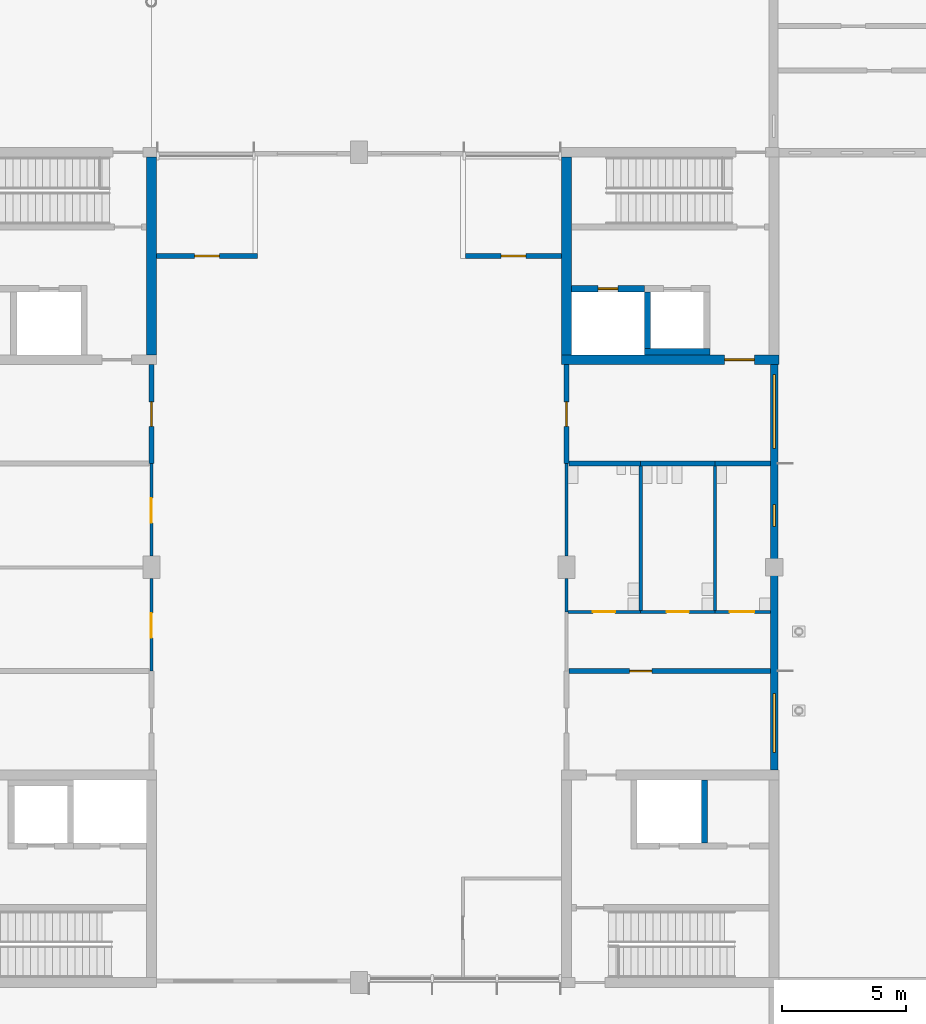
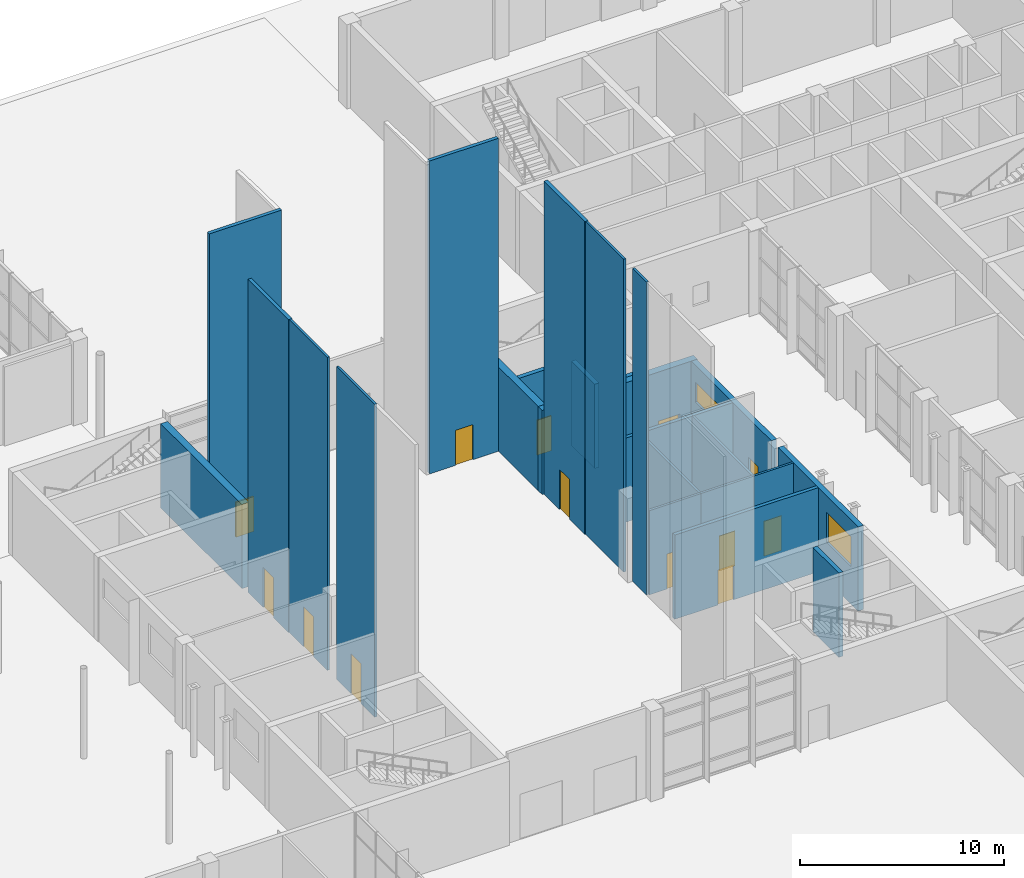
# One storey, part 40 of 76: 26 walls, 12 doors, 3 windows, 15 openings.
"""IFC4 building model written with IfcOpenShell, lengths in metres."""

from ifc_helpers import new_model, si_unit, direction, frame, frame_2d, origin, place, context, subcontext, project, spatial, rectangle, extrude, material, layer, layer_set, type_object, element, fill, save


model = new_model("IFC4")

# Units and contexts
model_context = context("Model", 3, precision=1e-05, world=origin(), true_north=direction((0.0, 1.0)))
body_context = subcontext(model_context, "Body", "Model", "MODEL_VIEW")
ifc_project = project(units=[si_unit("LENGTHUNIT", "METRE"), si_unit("AREAUNIT", "SQUARE_METRE"), si_unit("VOLUMEUNIT", "CUBIC_METRE"), si_unit("PLANEANGLEUNIT", "RADIAN"), si_unit("MASSUNIT", "GRAM", prefix="KILO")], contexts=[model_context])

# Site, building, storey
site_placement = place(None, origin())
site = spatial("IfcSite", under=ifc_project, at=site_placement, CompositionType="ELEMENT")
building_placement = place(site_placement, origin())
building = spatial("IfcBuilding", under=site, at=building_placement, Name="Hlaing Beacon Police Headquarters", CompositionType="ELEMENT")
storey_placement = place(building_placement, origin())
storey = spatial("IfcBuildingStorey", under=building, at=storey_placement, Name="L00", CompositionType="ELEMENT", Elevation=0.0)

# Wall
ifc_material_1 = material(Name="Concrete C60/75", Category="concrete")
ifc_layer_1 = layer(ifc_material_1, 0.39990234375)
ifc_layer_set_1 = layer_set([ifc_layer_1], Name="Concrete C60/75")
wall_type_1 = type_object("IfcWallType", Name="Core shear wall 400", PredefinedType="SHEAR", material=ifc_layer_set_1)
wall_1_placement = place(storey_placement, frame((67.199951171875, 59.0, 0.0), z_axis=(0.0, 0.0, 1.0), x_axis=(0.0, 1.0, 0.0)))
element("IfcWall", 1, at=wall_1_placement, inside=storey, type_object=wall_type_1, Name="Core shear wall", PredefinedType="SHEAR", context=body_context, shape_type="SweptSolid", body=[
    extrude(rectangle(XDim=8.0, YDim=0.39990234375, at=frame_2d((4.0, 0.0))), origin(), (0.0, 0.0, 1.0), 5.050048828125),
])

# Wall, opening, door
wall_2_placement = place(storey_placement, frame((83.800048828125, 58.800048828125, 0.0), z_axis=(0.0, 0.0, 1.0), x_axis=(1.0, 0.0, 0.0)))
wall_2 = element("IfcWall", 2, at=wall_2_placement, inside=storey, type_object=wall_type_1, Name="Core shear wall", PredefinedType="SHEAR", context=body_context, shape_type="SweptSolid", body=[
    extrude(rectangle(XDim=8.800048828125, YDim=0.39990234375, at=frame_2d((4.39990234375, 0.0))), origin(), (0.0, 0.0, 1.0), 5.050048828125),
])
opening_1_placement = place(wall_2_placement, frame((6.60009765625, 0.0, 0.0)))
opening_1 = element("IfcOpeningElement", 3, at=opening_1_placement, cuts=wall_2, Name="Opening L00-915", PredefinedType="OPENING", context=body_context, shape_type="SweptSolid", body=[
    extrude(rectangle(XDim=1.199951171875, YDim=2.10009765625, at=frame_2d((0.60009765625, 1.050048828125))), frame((0.0, 0.2099609375, 0.0), z_axis=(0.0, -1.0, 0.0), x_axis=(1.0, 0.0, 0.0)), (0.0, 0.0, 1.0), 0.419921875),
])
ifc_material_2 = material(Name="Steel fire door leaf", Category="steel")
ifc_layer_2 = layer(ifc_material_2, 0.070068359375)
ifc_layer_set_2 = layer_set([ifc_layer_2], Name="Steel fire door leaf")
door_type_1 = type_object("IfcDoorType", Name="Steel fire door FD60S 1200x2100", OperationType="SINGLE_SWING_LEFT", PredefinedType="DOOR", material=ifc_layer_set_2)
door_1_placement = place(opening_1_placement, origin())
door_1 = element("IfcDoor", 4, at=door_1_placement, inside=storey, type_object=door_type_1, Name="Door Lift and Stair Lobby ST-D Entry", OperationType="SINGLE_SWING_RIGHT", OverallHeight=2.10009765625, OverallWidth=1.199951171875, PredefinedType="DOOR", context=body_context, shape_type="SweptSolid", body=[
    extrude(rectangle(XDim=1.199951171875, YDim=2.10009765625, at=frame_2d((0.60009765625, 1.050048828125))), frame((0.0, 0.03515625, 0.0), z_axis=(0.0, -1.0, 0.0), x_axis=(1.0, 0.0, 0.0)), (0.0, 0.0, 1.0), 0.070068359375),
])
fill(opening_1, door_1)

# Wall
wall_3_placement = place(storey_placement, frame((84.0, 59.0, 0.0), z_axis=(0.0, 0.0, 1.0), x_axis=(0.0, 1.0, 0.0)))
element("IfcWall", 5, at=wall_3_placement, inside=storey, type_object=wall_type_1, Name="Core shear wall", PredefinedType="SHEAR", context=body_context, shape_type="SweptSolid", body=[
    extrude(rectangle(XDim=8.0, YDim=0.39990234375, at=frame_2d((4.0, 0.0))), origin(), (0.0, 0.0, 1.0), 5.050048828125),
])

# Wall, opening, door
ifc_material_3 = material(Name="Concrete blockwork 7.5 N/mm2", Category="masonry")
ifc_layer_3 = layer(ifc_material_3, 0.199951171875)
ifc_layer_set_3 = layer_set([ifc_layer_3], Name="Concrete blockwork 7.5 N/mm2")
wall_type_2 = type_object("IfcWallType", Name="Custody wall EI 60 200", PredefinedType="PARTITIONING", material=ifc_layer_set_3)
wall_4_placement = place(storey_placement, frame((67.39990234375, 63.0, 0.0), z_axis=(0.0, 0.0, 1.0), x_axis=(1.0, 0.0, 0.0)))
wall_4 = element("IfcWall", 6, at=wall_4_placement, inside=storey, type_object=wall_type_2, Name="Custody wall EI 60 200", PredefinedType="PARTITIONING", context=body_context, shape_type="SweptSolid", body=[
    extrude(rectangle(XDim=4.10009765625, YDim=0.199951171875, at=frame_2d((2.050048828125, 0.0))), origin(), (0.0, 0.0, 1.0), 18.77001953125),
])
opening_2_placement = place(wall_4_placement, frame((1.550048828125, 0.0, 0.0)))
opening_2 = element("IfcOpeningElement", 7, at=opening_2_placement, cuts=wall_4, Name="Opening L00-010", PredefinedType="OPENING", context=body_context, shape_type="SweptSolid", body=[
    extrude(rectangle(XDim=1.0, YDim=2.10009765625, at=frame_2d((0.5, 1.050048828125))), frame((0.0, 0.10986328125, 0.0), z_axis=(0.0, -1.0, 0.0), x_axis=(1.0, 0.0, 0.0)), (0.0, 0.0, 1.0), 0.219970703125),
])
ifc_material_4 = material(Name="Steel security door leaf", Category="steel")
ifc_layer_4 = layer(ifc_material_4, 0.090087890625)
ifc_layer_set_4 = layer_set([ifc_layer_4], Name="Steel security door leaf")
door_type_2 = type_object("IfcDoorType", Name="Steel security door FD60 1000x2100", OperationType="SINGLE_SWING_LEFT", PredefinedType="DOOR", material=ifc_layer_set_4)
door_2_placement = place(opening_2_placement, origin())
door_2 = element("IfcDoor", 8, at=door_2_placement, inside=storey, type_object=door_type_2, Name="Door Walk-in Interview Room 1", OperationType="SINGLE_SWING_RIGHT", OverallHeight=2.10009765625, OverallWidth=1.0, PredefinedType="DOOR", context=body_context, shape_type="SweptSolid", body=[
    extrude(rectangle(XDim=1.0, YDim=2.10009765625, at=frame_2d((0.5, 1.050048828125))), frame((0.0, 0.044921875, 0.0), z_axis=(0.0, -1.0, 0.0), x_axis=(1.0, 0.0, 0.0)), (0.0, 0.0, 1.0), 0.090087890625),
])
fill(opening_2, door_2)

wall_5_placement = place(storey_placement, frame((79.89990234375, 63.0, 0.0), z_axis=(0.0, 0.0, 1.0), x_axis=(1.0, 0.0, 0.0)))
wall_5 = element("IfcWall", 9, at=wall_5_placement, inside=storey, type_object=wall_type_2, Name="Custody wall EI 60 200", PredefinedType="PARTITIONING", context=body_context, shape_type="SweptSolid", body=[
    extrude(rectangle(XDim=3.900146484375, YDim=0.199951171875, at=frame_2d((1.9501953125, 0.0))), origin(), (0.0, 0.0, 1.0), 18.77001953125),
])
opening_3_placement = place(wall_5_placement, frame((1.449951171875, 0.0, 0.0)))
opening_3 = element("IfcOpeningElement", 10, at=opening_3_placement, cuts=wall_5, Name="Opening L00-011", PredefinedType="OPENING", context=body_context, shape_type="SweptSolid", body=[
    extrude(rectangle(XDim=1.0, YDim=2.10009765625, at=frame_2d((0.5, 1.050048828125))), frame((0.0, 0.10986328125, 0.0), z_axis=(0.0, -1.0, 0.0), x_axis=(1.0, 0.0, 0.0)), (0.0, 0.0, 1.0), 0.219970703125),
])
door_3_placement = place(opening_3_placement, origin())
door_3 = element("IfcDoor", 11, at=door_3_placement, inside=storey, type_object=door_type_2, Name="Door Walk-in Interview Room 2", OperationType="SINGLE_SWING_LEFT", OverallHeight=2.10009765625, OverallWidth=1.0, PredefinedType="DOOR", context=body_context, shape_type="SweptSolid", body=[
    extrude(rectangle(XDim=1.0, YDim=2.10009765625, at=frame_2d((0.5, 1.050048828125))), frame((0.0, 0.044921875, 0.0), z_axis=(0.0, -1.0, 0.0), x_axis=(1.0, 0.0, 0.0)), (0.0, 0.0, 1.0), 0.090087890625),
])
fill(opening_3, door_3)

ifc_material_5 = material(Name="Concrete blockwork 7.5 N/mm2", Category="masonry")
ifc_layer_5 = layer(ifc_material_5, 0.199951171875)
ifc_layer_set_5 = layer_set([ifc_layer_5], Name="Concrete blockwork 7.5 N/mm2")
wall_type_3 = type_object("IfcWallType", Name="Lobby wall EI 120 200", PredefinedType="PARTITIONING", material=ifc_layer_set_5)
wall_6_placement = place(storey_placement, frame((84.0, 54.60009765625, 0.0), z_axis=(0.0, 0.0, 1.0), x_axis=(0.0, 1.0, 0.0)))
wall_6 = element("IfcWall", 12, at=wall_6_placement, inside=storey, type_object=wall_type_3, Name="Lobby wall EI 120 200", PredefinedType="PARTITIONING", context=body_context, shape_type="SweptSolid", body=[
    extrude(rectangle(XDim=4.0, YDim=0.199951171875, at=frame_2d((2.0, 0.0))), origin(), (0.0, 0.0, 1.0), 18.77001953125),
])
opening_4_placement = place(wall_6_placement, frame((1.5, 0.0, 0.0)))
opening_4 = element("IfcOpeningElement", 13, at=opening_4_placement, cuts=wall_6, Name="Opening L00-002", PredefinedType="OPENING", context=body_context, shape_type="SweptSolid", body=[
    extrude(rectangle(XDim=1.0, YDim=2.39990234375, at=frame_2d((0.5, 1.199951171875))), frame((0.0, 0.10986328125, 0.0), z_axis=(0.0, -1.0, 0.0), x_axis=(1.0, 0.0, 0.0)), (0.0, 0.0, 1.0), 0.219970703125),
])
ifc_material_6 = material(Name="Hardwood door leaf", Category="wood")
ifc_layer_6 = layer(ifc_material_6, 0.06005859375)
ifc_layer_set_6 = layer_set([ifc_layer_6], Name="Hardwood door leaf")
door_type_3 = type_object("IfcDoorType", Name="Fire public door FD60S 1000x2400", OperationType="SINGLE_SWING_LEFT", PredefinedType="DOOR", material=ifc_layer_set_6)
door_4_placement = place(opening_4_placement, origin())
door_4 = element("IfcDoor", 14, at=door_4_placement, inside=storey, type_object=door_type_3, Name="Door Entrance Lobby North East", OperationType="SINGLE_SWING_RIGHT", OverallHeight=2.39990234375, OverallWidth=1.0, PredefinedType="DOOR", context=body_context, shape_type="SweptSolid", body=[
    extrude(rectangle(XDim=1.0, YDim=2.39990234375, at=frame_2d((0.5, 1.199951171875))), frame((0.0, 0.030029296875, 0.0), z_axis=(0.0, -1.0, 0.0), x_axis=(1.0, 0.0, 0.0)), (0.0, 0.0, 1.0), 0.06005859375),
])
fill(opening_4, door_4)

# Walls
wall_7_placement = place(storey_placement, frame((90.0, 54.60009765625, 0.0), z_axis=(0.0, 0.0, 1.0), x_axis=(1.0, 0.0, 0.0)))
element("IfcWall", 15, at=wall_7_placement, inside=storey, type_object=wall_type_3, Name="Lobby wall EI 120 200", PredefinedType="PARTITIONING", context=body_context, shape_type="SweptSolid", body=[
    extrude(rectangle(XDim=2.25, YDim=0.199951171875, at=frame_2d((1.125, 0.0))), origin(), (0.0, 0.0, 1.0), 5.050048828125),
])
wall_8_placement = place(storey_placement, frame((87.0, 54.60009765625, 0.0), z_axis=(0.0, 0.0, 1.0), x_axis=(1.0, 0.0, 0.0)))
element("IfcWall", 16, at=wall_8_placement, inside=storey, type_object=wall_type_3, Name="Lobby wall EI 120 200", PredefinedType="PARTITIONING", context=body_context, shape_type="SweptSolid", body=[
    extrude(rectangle(XDim=3.0, YDim=0.199951171875, at=frame_2d((1.5, 0.0))), origin(), (0.0, 0.0, 1.0), 5.050048828125),
])
wall_9_placement = place(storey_placement, frame((84.10009765625, 54.60009765625, 0.0), z_axis=(0.0, 0.0, 1.0), x_axis=(1.0, 0.0, 0.0)))
element("IfcWall", 17, at=wall_9_placement, inside=storey, type_object=wall_type_3, Name="Lobby wall EI 120 200", PredefinedType="PARTITIONING", context=body_context, shape_type="SweptSolid", body=[
    extrude(rectangle(XDim=2.89990234375, YDim=0.199951171875, at=frame_2d((1.449951171875, 0.0))), origin(), (0.0, 0.0, 1.0), 5.050048828125),
])

# Wall, opening, door
wall_10_placement = place(storey_placement, frame((84.10009765625, 46.199951171875, 0.0), z_axis=(0.0, 0.0, 1.0), x_axis=(1.0, 0.0, 0.0)))
wall_10 = element("IfcWall", 18, at=wall_10_placement, inside=storey, type_object=wall_type_3, Name="Lobby wall EI 120 200", PredefinedType="PARTITIONING", context=body_context, shape_type="SweptSolid", body=[
    extrude(rectangle(XDim=8.14990234375, YDim=0.199951171875, at=frame_2d((4.074951171875, 0.0))), origin(), (0.0, 0.0, 1.0), 5.050048828125),
])
opening_5_placement = place(wall_10_placement, frame((2.449951171875, 0.0, 0.0)))
opening_5 = element("IfcOpeningElement", 19, at=opening_5_placement, cuts=wall_10, Name="Opening L00-007", PredefinedType="OPENING", context=body_context, shape_type="SweptSolid", body=[
    extrude(rectangle(XDim=0.89990234375, YDim=2.10009765625, at=frame_2d((0.449951171875, 1.050048828125))), frame((0.0, 0.10986328125, 0.0), z_axis=(0.0, -1.0, 0.0), x_axis=(1.0, 0.0, 0.0)), (0.0, 0.0, 1.0), 0.219970703125),
])
ifc_material_7 = material(Name="Hardwood door leaf", Category="wood")
ifc_layer_7 = layer(ifc_material_7, 0.06005859375)
ifc_layer_set_7 = layer_set([ifc_layer_7], Name="Hardwood door leaf")
door_type_4 = type_object("IfcDoorType", Name="Fire door FD60S 900x2100", OperationType="SINGLE_SWING_LEFT", PredefinedType="DOOR", material=ifc_layer_set_7)
door_5_placement = place(opening_5_placement, origin())
door_5 = element("IfcDoor", 20, at=door_5_placement, inside=storey, type_object=door_type_4, Name="Door WC Lobby", OperationType="SINGLE_SWING_LEFT", OverallHeight=2.10009765625, OverallWidth=0.89990234375, PredefinedType="DOOR", context=body_context, shape_type="SweptSolid", body=[
    extrude(rectangle(XDim=0.89990234375, YDim=2.10009765625, at=frame_2d((0.449951171875, 1.050048828125))), frame((0.0, 0.030029296875, 0.0), z_axis=(0.0, -1.0, 0.0), x_axis=(1.0, 0.0, 0.0)), (0.0, 0.0, 1.0), 0.06005859375),
])
fill(opening_5, door_5)

wall_11_placement = place(storey_placement, frame((67.199951171875, 54.60009765625, 0.0), z_axis=(0.0, 0.0, 1.0), x_axis=(0.0, 1.0, 0.0)))
wall_11 = element("IfcWall", 21, at=wall_11_placement, inside=storey, type_object=wall_type_3, Name="Lobby wall EI 120 200", PredefinedType="PARTITIONING", context=body_context, shape_type="SweptSolid", body=[
    extrude(rectangle(XDim=4.0, YDim=0.199951171875, at=frame_2d((2.0, 0.0))), origin(), (0.0, 0.0, 1.0), 18.77001953125),
])
opening_6_placement = place(wall_11_placement, frame((1.5, 0.0, 0.0)))
opening_6 = element("IfcOpeningElement", 22, at=opening_6_placement, cuts=wall_11, Name="Opening L00-012", PredefinedType="OPENING", context=body_context, shape_type="SweptSolid", body=[
    extrude(rectangle(XDim=1.0, YDim=2.39990234375, at=frame_2d((0.5, 1.199951171875))), frame((0.0, 0.10986328125, 0.0), z_axis=(0.0, -1.0, 0.0), x_axis=(1.0, 0.0, 0.0)), (0.0, 0.0, 1.0), 0.219970703125),
])
door_6_placement = place(opening_6_placement, frame((1.0, 0.0, 0.0), z_axis=(0.0, 0.0, 1.0), x_axis=(-1.0, 0.0, 0.0)))
door_6 = element("IfcDoor", 23, at=door_6_placement, inside=storey, type_object=door_type_3, Name="Door Entrance Lobby North West", OperationType="SINGLE_SWING_RIGHT", OverallHeight=2.39990234375, OverallWidth=1.0, PredefinedType="DOOR", context=body_context, shape_type="SweptSolid", body=[
    extrude(rectangle(XDim=1.0, YDim=2.39990234375, at=frame_2d((0.5, 1.199951171875))), frame((0.0, 0.030029296875, 0.0), z_axis=(0.0, -1.0, 0.0), x_axis=(1.0, 0.0, 0.0)), (0.0, 0.0, 1.0), 0.06005859375),
])
fill(opening_6, door_6)

ifc_material_8 = material(Name="Gypsum board partition")
ifc_layer_8 = layer(ifc_material_8, 0.125)
ifc_layer_set_8 = layer_set([ifc_layer_8], Name="Gypsum board partition")
wall_type_4 = type_object("IfcWallType", Name="Partition 125", PredefinedType="PARTITIONING", material=ifc_layer_set_8)
wall_12_placement = place(storey_placement, frame((67.199951171875, 46.199951171875, 0.0), z_axis=(0.0, 0.0, 1.0), x_axis=(0.0, 1.0, 0.0)))
wall_12 = element("IfcWall", 24, at=wall_12_placement, inside=storey, type_object=wall_type_4, Name="Partition 125", PredefinedType="PARTITIONING", context=body_context, shape_type="SweptSolid", body=[
    extrude(rectangle(XDim=3.75, YDim=0.125, at=frame_2d((1.875, 0.0))), origin(), (0.0, 0.0, 1.0), 18.77001953125),
])
opening_7_placement = place(wall_12_placement, frame((1.35009765625, 0.0, 0.0)))
opening_7 = element("IfcOpeningElement", 25, at=opening_7_placement, cuts=wall_12, Name="Opening L00-004", PredefinedType="OPENING", context=body_context, shape_type="SweptSolid", body=[
    extrude(rectangle(XDim=1.0, YDim=2.39990234375, at=frame_2d((0.5, 1.199951171875))), frame((0.0, 0.072509765625, 0.0), z_axis=(0.0, -1.0, 0.0), x_axis=(1.0, 0.0, 0.0)), (0.0, 0.0, 1.0), 0.14501953125),
])
ifc_material_9 = material(Name="Aluminium frame with safety glazing", Category="aluminium")
ifc_layer_9 = layer(ifc_material_9, 0.0400390625)
ifc_layer_set_9 = layer_set([ifc_layer_9], Name="Aluminium frame with safety glazing")
door_type_5 = type_object("IfcDoorType", Name="Glazed public door 1000x2400", OperationType="SINGLE_SWING_LEFT", PredefinedType="DOOR", material=ifc_layer_set_9)
door_7_placement = place(opening_7_placement, origin())
door_7 = element("IfcDoor", 26, at=door_7_placement, inside=storey, type_object=door_type_5, Name="Door Front Counter", OperationType="SINGLE_SWING_RIGHT", OverallHeight=2.39990234375, OverallWidth=1.0, PredefinedType="DOOR", context=body_context, shape_type="SweptSolid", body=[
    extrude(rectangle(XDim=1.0, YDim=2.39990234375, at=frame_2d((0.5, 1.199951171875))), frame((0.0, 0.02001953125, 0.0), z_axis=(0.0, -1.0, 0.0), x_axis=(1.0, 0.0, 0.0)), (0.0, 0.0, 1.0), 0.0400390625),
])
fill(opening_7, door_7)

# Walls
wall_13_placement = place(storey_placement, frame((84.0, 48.60009765625, 0.0), z_axis=(0.0, 0.0, 1.0), x_axis=(0.0, 1.0, 0.0)))
element("IfcWall", 27, at=wall_13_placement, inside=storey, type_object=wall_type_4, Name="Partition 125", PredefinedType="PARTITIONING", context=body_context, shape_type="SweptSolid", body=[
    extrude(rectangle(XDim=1.349853515625, YDim=0.125, at=frame_2d((0.6748046875, 0.0))), origin(), (0.0, 0.0, 1.0), 18.77001953125),
])
wall_14_placement = place(storey_placement, frame((84.0, 50.85009765625, 0.0), z_axis=(0.0, 0.0, 1.0), x_axis=(0.0, 1.0, 0.0)))
element("IfcWall", 28, at=wall_14_placement, inside=storey, type_object=wall_type_4, Name="Partition 125", PredefinedType="PARTITIONING", context=body_context, shape_type="SweptSolid", body=[
    extrude(rectangle(XDim=3.75, YDim=0.125, at=frame_2d((1.875, 0.0))), origin(), (0.0, 0.0, 1.0), 18.77001953125),
])

# Wall, opening, door
wall_15_placement = place(storey_placement, frame((67.199951171875, 50.85009765625, 0.0), z_axis=(0.0, 0.0, 1.0), x_axis=(0.0, 1.0, 0.0)))
wall_15 = element("IfcWall", 29, at=wall_15_placement, inside=storey, type_object=wall_type_4, Name="Partition 125", PredefinedType="PARTITIONING", context=body_context, shape_type="SweptSolid", body=[
    extrude(rectangle(XDim=3.75, YDim=0.125, at=frame_2d((1.875, 0.0))), origin(), (0.0, 0.0, 1.0), 18.77001953125),
])
opening_8_placement = place(wall_15_placement, frame((1.35009765625, 0.0, 0.0)))
opening_8 = element("IfcOpeningElement", 30, at=opening_8_placement, cuts=wall_15, Name="Opening L00-009", PredefinedType="OPENING", context=body_context, shape_type="SweptSolid", body=[
    extrude(rectangle(XDim=1.0, YDim=2.39990234375, at=frame_2d((0.5, 1.199951171875))), frame((0.0, 0.072509765625, 0.0), z_axis=(0.0, -1.0, 0.0), x_axis=(1.0, 0.0, 0.0)), (0.0, 0.0, 1.0), 0.14501953125),
])
door_8_placement = place(opening_8_placement, origin())
door_8 = element("IfcDoor", 31, at=door_8_placement, inside=storey, type_object=door_type_5, Name="Door Public Waiting Area", OperationType="SINGLE_SWING_LEFT", OverallHeight=2.39990234375, OverallWidth=1.0, PredefinedType="DOOR", context=body_context, shape_type="SweptSolid", body=[
    extrude(rectangle(XDim=1.0, YDim=2.39990234375, at=frame_2d((0.5, 1.199951171875))), frame((0.0, 0.02001953125, 0.0), z_axis=(0.0, -1.0, 0.0), x_axis=(1.0, 0.0, 0.0)), (0.0, 0.0, 1.0), 0.0400390625),
])
fill(opening_8, door_8)

# Wall
wall_16_placement = place(storey_placement, frame((90.0, 48.6630859375, 0.0), z_axis=(0.0, 0.0, 1.0), x_axis=(0.0, 1.0, 0.0)))
element("IfcWall", 32, at=wall_16_placement, inside=storey, type_object=wall_type_4, Name="Partition 125", PredefinedType="PARTITIONING", context=body_context, shape_type="SweptSolid", body=[
    extrude(rectangle(XDim=5.8369140625, YDim=0.125, at=frame_2d((2.91845703125, 0.0))), origin(), (0.0, 0.0, 1.0), 5.050048828125),
])

# Wall, opening, door
wall_17_placement = place(storey_placement, frame((90.0, 48.60009765625, 0.0), z_axis=(0.0, 0.0, 1.0), x_axis=(1.0, 0.0, 0.0)))
wall_17 = element("IfcWall", 33, at=wall_17_placement, inside=storey, type_object=wall_type_4, Name="Partition 125", PredefinedType="PARTITIONING", context=body_context, shape_type="SweptSolid", body=[
    extrude(rectangle(XDim=2.25, YDim=0.125, at=frame_2d((1.125, 0.0))), origin(), (0.0, 0.0, 1.0), 5.050048828125),
])
opening_9_placement = place(wall_17_placement, frame((0.60009765625, 0.0, 0.0)))
opening_9 = element("IfcOpeningElement", 34, at=opening_9_placement, cuts=wall_17, Name="Opening L00-005", PredefinedType="OPENING", context=body_context, shape_type="SweptSolid", body=[
    extrude(rectangle(XDim=1.0, YDim=2.10009765625, at=frame_2d((0.5, 1.050048828125))), frame((0.0, 0.072509765625, 0.0), z_axis=(0.0, -1.0, 0.0), x_axis=(1.0, 0.0, 0.0)), (0.0, 0.0, 1.0), 0.14501953125),
])
ifc_material_10 = material(Name="Hardwood door leaf", Category="wood")
ifc_layer_10 = layer(ifc_material_10, 0.0400390625)
ifc_layer_set_10 = layer_set([ifc_layer_10], Name="Hardwood door leaf")
door_type_6 = type_object("IfcDoorType", Name="Door 1000x2100", OperationType="SINGLE_SWING_LEFT", PredefinedType="DOOR", material=ifc_layer_set_10)
door_9_placement = place(opening_9_placement, origin())
door_9 = element("IfcDoor", 35, at=door_9_placement, inside=storey, type_object=door_type_6, Name="Door Accessible WC", OperationType="SINGLE_SWING_RIGHT", OverallHeight=2.10009765625, OverallWidth=1.0, PredefinedType="DOOR", context=body_context, shape_type="SweptSolid", body=[
    extrude(rectangle(XDim=1.0, YDim=2.10009765625, at=frame_2d((0.5, 1.050048828125))), frame((0.0, 0.02001953125, 0.0), z_axis=(0.0, -1.0, 0.0), x_axis=(1.0, 0.0, 0.0)), (0.0, 0.0, 1.0), 0.0400390625),
])
fill(opening_9, door_9)

wall_18_placement = place(storey_placement, frame((87.0, 48.60009765625, 0.0), z_axis=(0.0, 0.0, 1.0), x_axis=(1.0, 0.0, 0.0)))
wall_18 = element("IfcWall", 36, at=wall_18_placement, inside=storey, type_object=wall_type_4, Name="Partition 125", PredefinedType="PARTITIONING", context=body_context, shape_type="SweptSolid", body=[
    extrude(rectangle(XDim=3.0, YDim=0.125, at=frame_2d((1.5, 0.0))), origin(), (0.0, 0.0, 1.0), 5.050048828125),
])
opening_10_placement = place(wall_18_placement, frame((1.050048828125, 0.0, 0.0)))
opening_10 = element("IfcOpeningElement", 37, at=opening_10_placement, cuts=wall_18, Name="Opening L00-006", PredefinedType="OPENING", context=body_context, shape_type="SweptSolid", body=[
    extrude(rectangle(XDim=0.89990234375, YDim=2.10009765625, at=frame_2d((0.449951171875, 1.050048828125))), frame((0.0, 0.072509765625, 0.0), z_axis=(0.0, -1.0, 0.0), x_axis=(1.0, 0.0, 0.0)), (0.0, 0.0, 1.0), 0.14501953125),
])
ifc_material_11 = material(Name="Hardwood door leaf", Category="wood")
ifc_layer_11 = layer(ifc_material_11, 0.0400390625)
ifc_layer_set_11 = layer_set([ifc_layer_11], Name="Hardwood door leaf")
door_type_7 = type_object("IfcDoorType", Name="Door 900x2100", OperationType="SINGLE_SWING_LEFT", PredefinedType="DOOR", material=ifc_layer_set_11)
door_10_placement = place(opening_10_placement, origin())
door_10 = element("IfcDoor", 38, at=door_10_placement, inside=storey, type_object=door_type_7, Name="Door Female WC", OperationType="SINGLE_SWING_RIGHT", OverallHeight=2.10009765625, OverallWidth=0.89990234375, PredefinedType="DOOR", context=body_context, shape_type="SweptSolid", body=[
    extrude(rectangle(XDim=0.89990234375, YDim=2.10009765625, at=frame_2d((0.449951171875, 1.050048828125))), frame((0.0, 0.02001953125, 0.0), z_axis=(0.0, -1.0, 0.0), x_axis=(1.0, 0.0, 0.0)), (0.0, 0.0, 1.0), 0.0400390625),
])
fill(opening_10, door_10)

# Wall
wall_19_placement = place(storey_placement, frame((87.0, 48.6630859375, 0.0), z_axis=(0.0, 0.0, 1.0), x_axis=(0.0, 1.0, 0.0)))
element("IfcWall", 39, at=wall_19_placement, inside=storey, type_object=wall_type_4, Name="Partition 125", PredefinedType="PARTITIONING", context=body_context, shape_type="SweptSolid", body=[
    extrude(rectangle(XDim=5.8369140625, YDim=0.125, at=frame_2d((2.91845703125, 0.0))), origin(), (0.0, 0.0, 1.0), 5.050048828125),
])

# Wall, opening, door
wall_20_placement = place(storey_placement, frame((84.06201171875, 48.60009765625, 0.0), z_axis=(0.0, 0.0, 1.0), x_axis=(1.0, 0.0, 0.0)))
wall_20 = element("IfcWall", 40, at=wall_20_placement, inside=storey, type_object=wall_type_4, Name="Partition 125", PredefinedType="PARTITIONING", context=body_context, shape_type="SweptSolid", body=[
    extrude(rectangle(XDim=2.93798828125, YDim=0.125, at=frame_2d((1.468994140625, 0.0))), origin(), (0.0, 0.0, 1.0), 5.050048828125),
])
opening_11_placement = place(wall_20_placement, frame((1.0, 0.0, 0.0)))
opening_11 = element("IfcOpeningElement", 41, at=opening_11_placement, cuts=wall_20, Name="Opening L00-008", PredefinedType="OPENING", context=body_context, shape_type="SweptSolid", body=[
    extrude(rectangle(XDim=0.89990234375, YDim=2.10009765625, at=frame_2d((0.449951171875, 1.050048828125))), frame((0.0, 0.072509765625, 0.0), z_axis=(0.0, -1.0, 0.0), x_axis=(1.0, 0.0, 0.0)), (0.0, 0.0, 1.0), 0.14501953125),
])
door_11_placement = place(opening_11_placement, origin())
door_11 = element("IfcDoor", 42, at=door_11_placement, inside=storey, type_object=door_type_7, Name="Door Male WC", OperationType="SINGLE_SWING_RIGHT", OverallHeight=2.10009765625, OverallWidth=0.89990234375, PredefinedType="DOOR", context=body_context, shape_type="SweptSolid", body=[
    extrude(rectangle(XDim=0.89990234375, YDim=2.10009765625, at=frame_2d((0.449951171875, 1.050048828125))), frame((0.0, 0.02001953125, 0.0), z_axis=(0.0, -1.0, 0.0), x_axis=(1.0, 0.0, 0.0)), (0.0, 0.0, 1.0), 0.0400390625),
])
fill(opening_11, door_11)

# Wall, opening, window
ifc_material_12 = material(Name="Concrete C40/50 precast ribbed cladding", Category="concrete")
ifc_layer_12 = layer(ifc_material_12, 0.300048828125)
ifc_layer_set_12 = layer_set([ifc_layer_12], Name="Concrete C40/50 precast ribbed cladding")
wall_type_5 = type_object("IfcWallType", Name="Precast ribbed wall 300", PredefinedType="SOLIDWALL", material=ifc_layer_set_12)
wall_21_placement = place(storey_placement, frame((92.39990234375, 42.199951171875, 0.0), z_axis=(0.0, 0.0, 1.0), x_axis=(0.0, 1.0, 0.0)))
wall_21 = element("IfcWall", 43, at=wall_21_placement, inside=storey, type_object=wall_type_5, Name="External wall L00 E048", PredefinedType="SOLIDWALL", context=body_context, shape_type="SweptSolid", body=[
    extrude(rectangle(XDim=7.8701171875, YDim=0.300048828125, at=frame_2d((3.93505859375, 0.0))), origin(), (0.0, 0.0, 1.0), 5.050048828125),
])
opening_12_placement = place(wall_21_placement, frame((0.699951171875, 0.0, 2.25)))
opening_12 = element("IfcOpeningElement", 44, at=opening_12_placement, cuts=wall_21, Name="Opening WN11", PredefinedType="OPENING", context=body_context, shape_type="SweptSolid", body=[
    extrude(rectangle(XDim=2.39990234375, YDim=1.800048828125, at=frame_2d((1.199951171875, 0.89990234375))), frame((0.0, 0.16015625, 0.0), z_axis=(0.0, -1.0, 0.0), x_axis=(1.0, 0.0, 0.0)), (0.0, 0.0, 1.0), 0.320068359375),
])
ifc_material_13 = material(Name="Aluminium frame with solar control glazing", Category="aluminium")
window_type_1 = type_object("IfcWindowType", Name="Clerestory window 2400x1800 frame 100", PartitioningType="SINGLE_PANEL", PredefinedType="WINDOW", material=ifc_material_13)
window_1_placement = place(opening_12_placement, origin())
window_1 = element("IfcWindow", 45, at=window_1_placement, inside=storey, type_object=window_type_1, Name="Window L00 WD", OverallHeight=1.800048828125, OverallWidth=2.39990234375, PartitioningType="SINGLE_PANEL", PredefinedType="WINDOW", context=body_context, shape_type="SweptSolid", body=[
    extrude(rectangle(XDim=2.39990234375, YDim=1.800048828125, at=frame_2d((1.199951171875, 0.89990234375))), frame((0.0, 0.050048828125, 0.0), z_axis=(0.0, -1.0, 0.0), x_axis=(1.0, 0.0, 0.0)), (0.0, 0.0, 1.0), 0.10009765625),
])
fill(opening_12, window_1)

# Wall, openings, windows
wall_22_placement = place(storey_placement, frame((92.39990234375, 50.72998046875, 0.0), z_axis=(0.0, 0.0, 1.0), x_axis=(0.0, 1.0, 0.0)))
wall_22 = element("IfcWall", 46, at=wall_22_placement, inside=storey, type_object=wall_type_5, Name="External wall L00 E049", PredefinedType="SOLIDWALL", context=body_context, shape_type="SweptSolid", body=[
    extrude(rectangle(XDim=7.8701171875, YDim=0.300048828125, at=frame_2d((3.93505859375, 0.0))), origin(), (0.0, 0.0, 1.0), 5.050048828125),
])
opening_13_placement = place(wall_22_placement, frame((1.320068359375, 0.0, 1.5)))
opening_13 = element("IfcOpeningElement", 47, at=opening_13_placement, cuts=wall_22, Name="Opening WN9", PredefinedType="OPENING", context=body_context, shape_type="SweptSolid", body=[
    extrude(rectangle(XDim=0.89990234375, YDim=1.199951171875, at=frame_2d((0.449951171875, 0.60009765625))), frame((0.0, 0.16015625, 0.0), z_axis=(0.0, -1.0, 0.0), x_axis=(1.0, 0.0, 0.0)), (0.0, 0.0, 1.0), 0.320068359375),
])
opening_14_placement = place(wall_22_placement, frame((4.469970703125, 0.0, 2.85009765625)))
opening_14 = element("IfcOpeningElement", 48, at=opening_14_placement, cuts=wall_22, Name="Opening WN10", PredefinedType="OPENING", context=body_context, shape_type="SweptSolid", body=[
    extrude(rectangle(XDim=3.0, YDim=1.199951171875, at=frame_2d((1.5, 0.60009765625))), frame((0.0, 0.16015625, 0.0), z_axis=(0.0, -1.0, 0.0), x_axis=(1.0, 0.0, 0.0)), (0.0, 0.0, 1.0), 0.320068359375),
])
ifc_material_14 = material(Name="Aluminium frame with solar control glazing", Category="aluminium")
window_type_2 = type_object("IfcWindowType", Name="Clerestory window wide 3000x1200 frame 100", PartitioningType="SINGLE_PANEL", PredefinedType="WINDOW", material=ifc_material_14)
window_2_placement = place(opening_14_placement, origin())
window_2 = element("IfcWindow", 49, at=window_2_placement, inside=storey, type_object=window_type_2, Name="Window L00 WD2", OverallHeight=1.199951171875, OverallWidth=3.0, PartitioningType="SINGLE_PANEL", PredefinedType="WINDOW", context=body_context, shape_type="SweptSolid", body=[
    extrude(rectangle(XDim=3.0, YDim=1.199951171875, at=frame_2d((1.5, 0.60009765625))), frame((0.0, 0.050048828125, 0.0), z_axis=(0.0, -1.0, 0.0), x_axis=(1.0, 0.0, 0.0)), (0.0, 0.0, 1.0), 0.10009765625),
])
fill(opening_14, window_2)
ifc_material_15 = material(Name="Aluminium frame with solar control glazing", Category="aluminium")
window_type_3 = type_object("IfcWindowType", Name="Service room window 900x1200 frame 100", PartitioningType="SINGLE_PANEL", PredefinedType="WINDOW", material=ifc_material_15)
window_3_placement = place(opening_13_placement, origin())
window_3 = element("IfcWindow", 50, at=window_3_placement, inside=storey, type_object=window_type_3, Name="Window L00 WK", OverallHeight=1.199951171875, OverallWidth=0.89990234375, PartitioningType="SINGLE_PANEL", PredefinedType="WINDOW", context=body_context, shape_type="SweptSolid", body=[
    extrude(rectangle(XDim=0.89990234375, YDim=1.199951171875, at=frame_2d((0.449951171875, 0.60009765625))), frame((0.0, 0.050048828125, 0.0), z_axis=(0.0, -1.0, 0.0), x_axis=(1.0, 0.0, 0.0)), (0.0, 0.0, 1.0), 0.10009765625),
])
fill(opening_13, window_3)

# Wall
ifc_material_16 = material(Name="Concrete C40/50", Category="concrete")
ifc_layer_13 = layer(ifc_material_16, 0.25)
ifc_layer_set_13 = layer_set([ifc_layer_13], Name="Concrete C40/50")
wall_type_6 = type_object("IfcWallType", Name="Shaft wall 250", PredefinedType="SOLIDWALL", material=ifc_layer_set_13)
wall_23_placement = place(storey_placement, frame((89.574951171875, 39.25, 0.0), z_axis=(0.0, 0.0, 1.0), x_axis=(0.0, 1.0, 0.0)))
element("IfcWall", 51, at=wall_23_placement, inside=storey, type_object=wall_type_6, Name="Riser wall", PredefinedType="SOLIDWALL", context=body_context, shape_type="SweptSolid", body=[
    extrude(rectangle(XDim=2.550048828125, YDim=0.25, at=frame_2d((1.27490234375, 0.0))), origin(), (0.0, 0.0, 1.0), 5.050048828125),
])

# Wall, opening, door
wall_24_placement = place(storey_placement, frame((87.14990234375, 61.675048828125, 0.0), z_axis=(0.0, 0.0, 1.0), x_axis=(-1.0, 0.0, 0.0)))
wall_24 = element("IfcWall", 52, at=wall_24_placement, inside=storey, type_object=wall_type_6, Name="Lobby wall", PredefinedType="SOLIDWALL", context=body_context, shape_type="SweptSolid", body=[
    extrude(rectangle(XDim=2.949951171875, YDim=0.25, at=frame_2d((1.47509765625, 0.0))), origin(), (0.0, 0.0, 1.0), 5.050048828125),
])
opening_15_placement = place(wall_24_placement, frame((1.074951171875, 0.0, 0.0)))
opening_15 = element("IfcOpeningElement", 53, at=opening_15_placement, cuts=wall_24, Name="Opening L00-916", PredefinedType="OPENING", context=body_context, shape_type="SweptSolid", body=[
    extrude(rectangle(XDim=0.800048828125, YDim=2.10009765625, at=frame_2d((0.39990234375, 1.050048828125))), frame((0.0, 0.135009765625, 0.0), z_axis=(0.0, -1.0, 0.0), x_axis=(1.0, 0.0, 0.0)), (0.0, 0.0, 1.0), 0.27001953125),
])
ifc_material_17 = material(Name="Steel fire door leaf", Category="steel")
ifc_layer_14 = layer(ifc_material_17, 0.070068359375)
ifc_layer_set_14 = layer_set([ifc_layer_14], Name="Steel fire door leaf")
door_type_8 = type_object("IfcDoorType", Name="Steel fire door FD60 800x2100", OperationType="SINGLE_SWING_LEFT", PredefinedType="DOOR", material=ifc_layer_set_14)
door_12_placement = place(opening_15_placement, origin())
door_12 = element("IfcDoor", 54, at=door_12_placement, inside=storey, type_object=door_type_8, Name="Door Services Riser", OperationType="SINGLE_SWING_RIGHT", OverallHeight=2.10009765625, OverallWidth=0.800048828125, PredefinedType="DOOR", context=body_context, shape_type="SweptSolid", body=[
    extrude(rectangle(XDim=0.800048828125, YDim=2.10009765625, at=frame_2d((0.39990234375, 1.050048828125))), frame((0.0, 0.03515625, 0.0), z_axis=(0.0, -1.0, 0.0), x_axis=(1.0, 0.0, 0.0)), (0.0, 0.0, 1.0), 0.070068359375),
])
fill(opening_15, door_12)

# Walls
wall_25_placement = place(storey_placement, frame((87.14990234375, 59.125, 0.0), z_axis=(0.0, 0.0, 1.0), x_axis=(1.0, 0.0, 0.0)))
element("IfcWall", 55, at=wall_25_placement, inside=storey, type_object=wall_type_6, Name="Lift shaft wall PL2", PredefinedType="SOLIDWALL", context=body_context, shape_type="SweptSolid", body=[
    extrude(rectangle(XDim=2.650146484375, YDim=0.25, at=frame_2d((1.3251953125, 0.0))), origin(), (0.0, 0.0, 1.0), 5.050048828125),
])
wall_26_placement = place(storey_placement, frame((87.27490234375, 59.25, 0.0), z_axis=(0.0, 0.0, 1.0), x_axis=(0.0, 1.0, 0.0)))
element("IfcWall", 56, at=wall_26_placement, inside=storey, type_object=wall_type_6, Name="Lift shaft wall PL2", PredefinedType="SOLIDWALL", context=body_context, shape_type="SweptSolid", body=[
    extrude(rectangle(XDim=2.300048828125, YDim=0.25, at=frame_2d((1.14990234375, 0.0))), origin(), (0.0, 0.0, 1.0), 5.050048828125),
])

save(model, "model.ifc")
